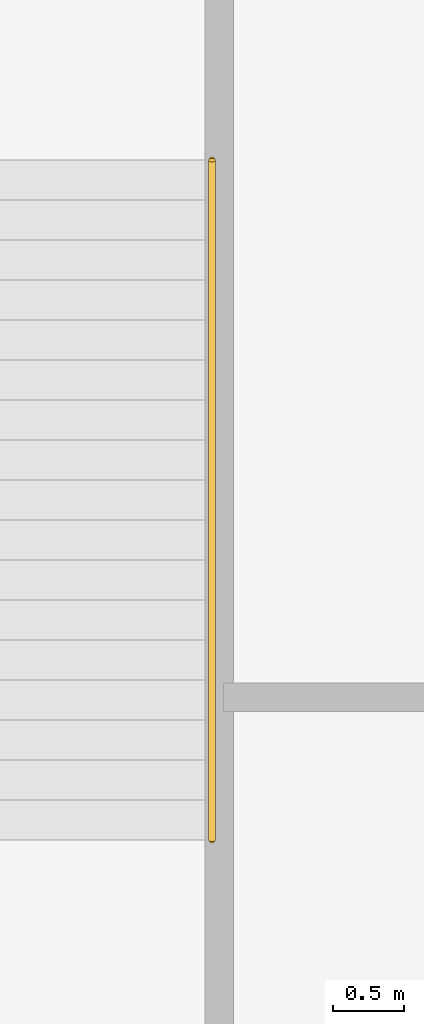
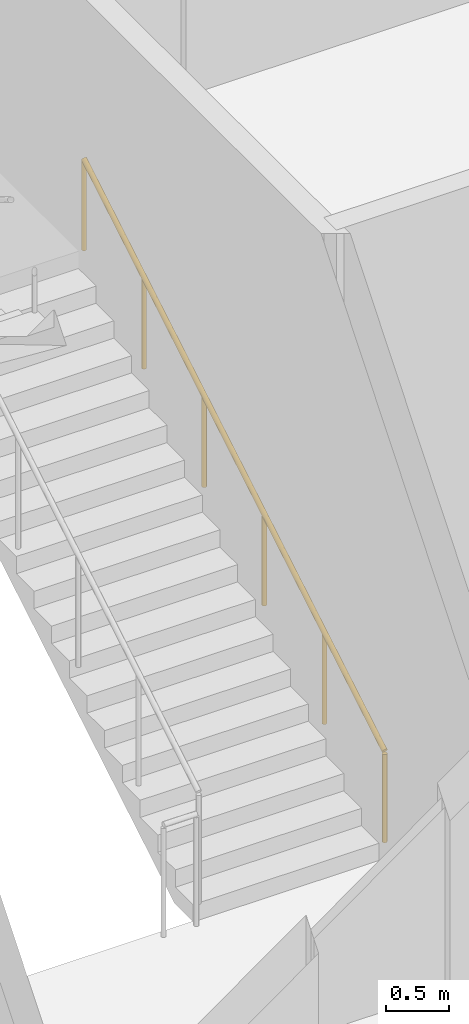
# One storey, part 51 of 52: 1 railing.
"""IFC4 building model written with IfcOpenShell, lengths in metres."""

from ifc_helpers import new_model, si_unit, direction, frame, origin, origin_2d, place, context, subcontext, project, spatial, circle, extrude, material, type_object, element, save


model = new_model("IFC4")

# Units and contexts
model_context = context("Model", 3, precision=1e-05, world=origin(), true_north=direction((0.0, 1.0)))
body_context = subcontext(model_context, "Body", "Model", "MODEL_VIEW")
ifc_project = project(units=[si_unit("LENGTHUNIT", "METRE"), si_unit("AREAUNIT", "SQUARE_METRE"), si_unit("VOLUMEUNIT", "CUBIC_METRE"), si_unit("PLANEANGLEUNIT", "RADIAN"), si_unit("MASSUNIT", "GRAM", prefix="KILO")], contexts=[model_context])

# Site, building, storey
site_placement = place(None, origin())
site = spatial("IfcSite", under=ifc_project, at=site_placement, CompositionType="ELEMENT")
building_placement = place(site_placement, origin())
building = spatial("IfcBuilding", under=site, at=building_placement, Name="Tamarind Cross Interchange Tower", CompositionType="ELEMENT")
storey_placement = place(building_placement, frame((0.0, 0.0, 9.0)))
storey = spatial("IfcBuildingStorey", under=building, at=storey_placement, Name="L01", CompositionType="ELEMENT", Elevation=9.0)

# Railing
ifc_material = material(Name="Public stair handrail")
railing_type = type_object("IfcRailingType", Name="Public stair handrail", PredefinedType="HANDRAIL", material=ifc_material)
railing_placement = place(storey_placement, frame((60.10009765625, -23.5, 0.166748046875)))
element("IfcRailing", 1, at=railing_placement, inside=storey, type_object=railing_type, Name="L01 XS-P11 stair handrail 1", PredefinedType="HANDRAIL", context=body_context, shape_type="SweptSolid", body=[
    extrude(circle(Radius=0.02392578125, at=origin_2d()), frame((0.0, 0.0, 0.8759765625), z_axis=(0.0, 0.859299802514, 0.511472237174), x_axis=(-1.0, 0.0, 0.0)), (0.0, 0.0, 1.0), 5.539306640625),
    extrude(circle(Radius=0.02099609375, at=origin_2d()), origin(), (0.0, 0.0, 1.0), 0.851806640625),
    extrude(circle(Radius=0.02099609375, at=origin_2d()), frame((0.0, 0.951904296875, 0.566650390625)), (0.0, 0.0, 1.0), 0.851806640625),
    extrude(circle(Radius=0.02099609375, at=origin_2d()), frame((0.0, 1.904052734375, 1.13330078125)), (0.0, 0.0, 1.0), 0.851806640625),
    extrude(circle(Radius=0.02099609375, at=origin_2d()), frame((0.0, 2.85595703125, 1.699951171875)), (0.0, 0.0, 1.0), 0.851806640625),
    extrude(circle(Radius=0.02099609375, at=origin_2d()), frame((0.0, 3.80810546875, 2.2666015625)), (0.0, 0.0, 1.0), 0.851806640625),
    extrude(circle(Radius=0.02099609375, at=origin_2d()), frame((0.0, 4.760009765625, 2.833251953125)), (0.0, 0.0, 1.0), 0.851806640625),
])

save(model, "model.ifc")
